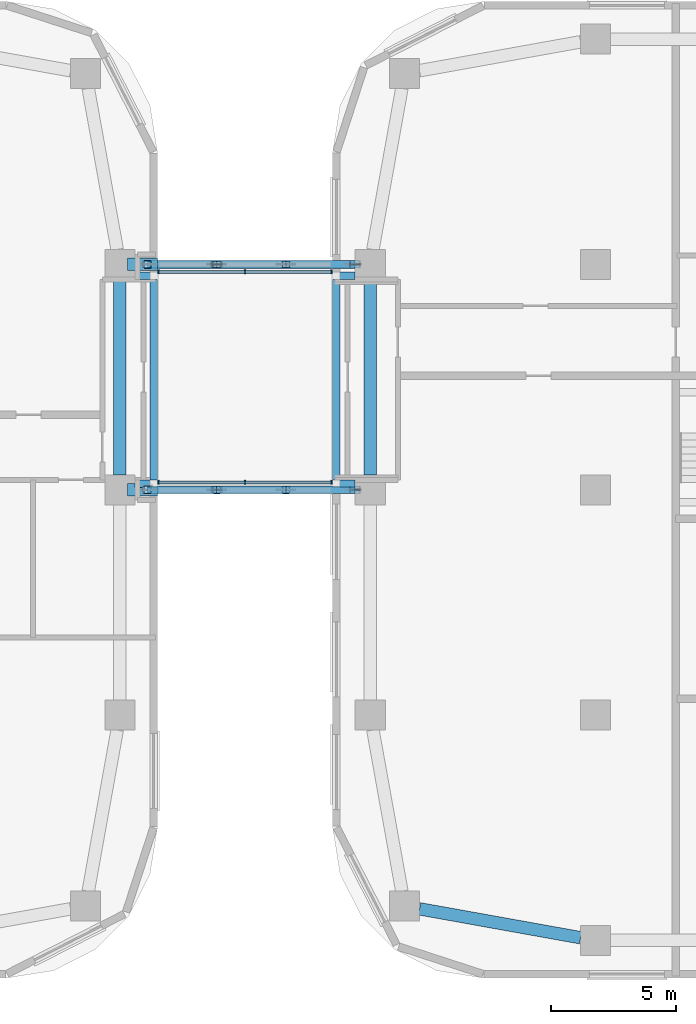
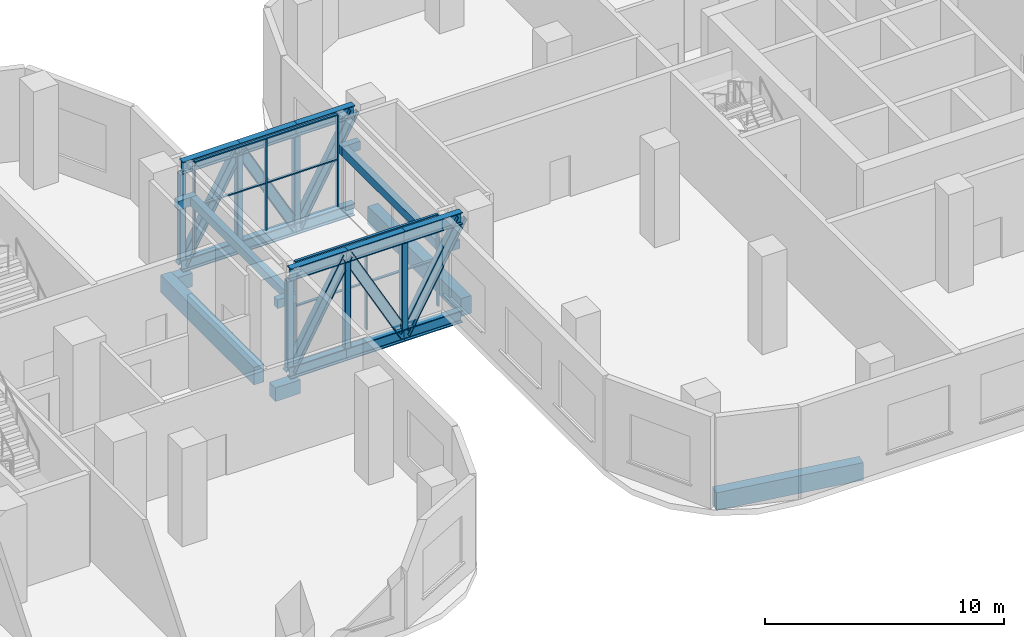
# One storey, part 2 of 35: 34 members, 11 beams, 2 elements without a shape of their own.
"""IFC4 building model written with IfcOpenShell, lengths in metres."""

from ifc_helpers import new_model, si_unit, direction, frame, origin, origin_2d, place, context, subcontext, project, spatial, rectangle, hollow_rectangle, i_section, extrude, material, material_profile, profile_set, type_object, element, aggregate, save


model = new_model("IFC4")

# Units and contexts
model_context = context("Model", 3, precision=1e-05, world=origin(), true_north=direction((0.0, 1.0)))
body_context = subcontext(model_context, "Body", "Model", "MODEL_VIEW")
ifc_project = project(units=[si_unit("LENGTHUNIT", "METRE"), si_unit("AREAUNIT", "SQUARE_METRE"), si_unit("VOLUMEUNIT", "CUBIC_METRE"), si_unit("PLANEANGLEUNIT", "RADIAN"), si_unit("MASSUNIT", "GRAM", prefix="KILO")], contexts=[model_context])

# Site, building, storey
site_placement = place(None, origin())
site = spatial("IfcSite", under=ifc_project, at=site_placement, CompositionType="ELEMENT")
building_placement = place(site_placement, origin())
building = spatial("IfcBuilding", under=site, at=building_placement, Name="Ogive Portal Towers", CompositionType="ELEMENT")
storey_placement = place(building_placement, frame((0.0, 0.0, 18.5)))
storey = spatial("IfcBuildingStorey", under=building, at=storey_placement, Name="L03", CompositionType="ELEMENT", Elevation=18.5)

# Beams
ifc_material_1 = material(Name="Concrete C40/50", Category="concrete")
ifc_material_profile_1 = material_profile(ifc_material_1, rectangle(XDim=0.300048828125, YDim=0.449951171875, at=origin_2d()), Name="RC 300x450")
ifc_profile_set_1 = profile_set([ifc_material_profile_1], Name="Concrete C40/50")
beam_type_1 = type_object("IfcBeamType", Name="BEAM RC 300x450", PredefinedType="BEAM", material=ifc_profile_set_1)
for number, where, z_axis, x_axis, name in (
    (1, (104.10009765625, 30.75, 2.925048828125), (1.0, 0.0, 0.0), (0.0, 1.0, 0.0), "Link lintel bracket L03"),
    (2, (104.10009765625, 39.050048828125, 2.925048828125), (1.0, 0.0, 0.0), (0.0, 1.0, 0.0), "Link lintel bracket L03"),
):
    element("IfcBeam", number, at=place(storey_placement, frame(where, z_axis=z_axis, x_axis=x_axis)), inside=storey, type_object=beam_type_1, Name=name, PredefinedType="BEAM", context=body_context, shape_type="SweptSolid", body=[
        extrude(rectangle(XDim=0.300048828125, YDim=0.449951171875, at=origin_2d()), origin(), (0.0, 0.0, 1.0), 0.89990234375),
    ])
beam_1_placement = place(storey_placement, frame((104.85009765625, 30.89990234375, 2.925048828125), z_axis=(0.0, 1.0, 0.0), x_axis=(-1.0, 0.0, 0.0)))
element("IfcBeam", 3, at=beam_1_placement, inside=storey, type_object=beam_type_1, Name="Link lintel beam L03", PredefinedType="BEAM", context=body_context, shape_type="SweptSolid", body=[
    extrude(rectangle(XDim=0.300048828125, YDim=0.449951171875, at=origin_2d()), origin(), (0.0, 0.0, 1.0), 8.0),
])
for number, where, z_axis, x_axis, name in (
    (4, (112.89990234375, 39.050048828125, 2.925048828125), (-1.0, 0.0, 0.0), (0.0, -1.0, 0.0), "Link lintel bracket L03"),
    (5, (112.89990234375, 30.75, 2.925048828125), (-1.0, 0.0, 0.0), (0.0, -1.0, 0.0), "Link lintel bracket L03"),
):
    element("IfcBeam", number, at=place(storey_placement, frame(where, z_axis=z_axis, x_axis=x_axis)), inside=storey, type_object=beam_type_1, Name=name, PredefinedType="BEAM", context=body_context, shape_type="SweptSolid", body=[
        extrude(rectangle(XDim=0.300048828125, YDim=0.449951171875, at=origin_2d()), origin(), (0.0, 0.0, 1.0), 0.89990234375),
    ])
beam_2_placement = place(storey_placement, frame((112.14990234375, 38.89990234375, 2.925048828125), z_axis=(0.0, -1.0, 0.0), x_axis=(1.0, 0.0, 0.0)))
element("IfcBeam", 6, at=beam_2_placement, inside=storey, type_object=beam_type_1, Name="Link lintel beam L03", PredefinedType="BEAM", context=body_context, shape_type="SweptSolid", body=[
    extrude(rectangle(XDim=0.300048828125, YDim=0.449951171875, at=origin_2d()), origin(), (0.0, 0.0, 1.0), 8.0),
])

# Members
ifc_material_2 = material(Name="Steel S355", Category="steel")
ifc_material_profile_2 = material_profile(ifc_material_2, i_section(OverallWidth=0.300048828125, OverallDepth=0.5, WebThickness=0.014404296875, FlangeThickness=0.028076171875, FilletRadius=0.027099609375, at=origin_2d()), Name="HEB 500")
ifc_profile_set_2 = profile_set([ifc_material_profile_2], Name="Steel S355")
member_type_1 = type_object("IfcMemberType", Name="BRACE HEB 500", PredefinedType="BRACE", material=ifc_profile_set_2)
for number, where, z_axis, x_axis, name in (
    (7, (104.60009765625, 30.5, -0.610107421875), (0.484147689614, 0.0, 0.874986293973), (0.0, 1.0, 0.0), "Link truss diagonal"),
    (8, (107.36669921875, 30.5, 4.389892578125), (0.484147689614, 0.0, -0.874986293973), (0.0, 1.0, 0.0), "Link truss diagonal"),
    (9, (110.13330078125, 30.5, -0.610107421875), (0.484147689614, 0.0, 0.874986293973), (0.0, 1.0, 0.0), "Link truss diagonal"),
    (10, (104.60009765625, 39.5, -0.610107421875), (0.484147689614, 0.0, 0.874986293973), (0.0, 1.0, 0.0), "Link truss diagonal"),
    (11, (107.36669921875, 39.5, 4.389892578125), (0.484147689614, 0.0, -0.874986293973), (0.0, 1.0, 0.0), "Link truss diagonal"),
    (12, (110.13330078125, 39.5, -0.610107421875), (0.484147689614, 0.0, 0.874986293973), (0.0, 1.0, 0.0), "Link truss diagonal"),
):
    element("IfcMember", number, at=place(storey_placement, frame(where, z_axis=z_axis, x_axis=x_axis)), inside=storey, type_object=member_type_1, Name=name, PredefinedType="BRACE", context=body_context, shape_type="SweptSolid", body=[
        extrude(i_section(OverallWidth=0.300048828125, OverallDepth=0.5, WebThickness=0.014404296875, FlangeThickness=0.028076171875, FilletRadius=0.027099609375, at=origin_2d()), origin(), (0.0, 0.0, 1.0), 5.71435546875),
    ])
ifc_material_profile_3 = material_profile(ifc_material_2, i_section(OverallWidth=0.304931640625, OverallDepth=0.6201171875, WebThickness=0.02099609375, FlangeThickness=0.0400390625, FilletRadius=0.027099609375, at=origin_2d()), Name="HEM 600")
ifc_profile_set_3 = profile_set([ifc_material_profile_3], Name="Steel S355")
member_type_2 = type_object("IfcMemberType", Name="CHORD HEM 600", PredefinedType="CHORD", material=ifc_profile_set_3)
for number, where, z_axis, x_axis, name in (
    (13, (104.60009765625, 30.5, -0.610107421875), (1.0, 0.0, 0.0), (0.0, 1.0, 0.0), "Link truss bottom chord"),
    (14, (104.60009765625, 30.5, 4.389892578125), (1.0, 0.0, 0.0), (0.0, 1.0, 0.0), "Link truss top chord"),
    (15, (107.36669921875, 30.5, -0.610107421875), (1.0, 0.0, 0.0), (0.0, 1.0, 0.0), "Link truss bottom chord"),
    (16, (107.36669921875, 30.5, 4.389892578125), (1.0, 0.0, 0.0), (0.0, 1.0, 0.0), "Link truss top chord"),
    (17, (110.13330078125, 30.5, -0.610107421875), (1.0, 0.0, 0.0), (0.0, 1.0, 0.0), "Link truss bottom chord"),
    (18, (110.13330078125, 30.5, 4.389892578125), (1.0, 0.0, 0.0), (0.0, 1.0, 0.0), "Link truss top chord"),
    (19, (104.60009765625, 39.5, -0.610107421875), (1.0, 0.0, 0.0), (0.0, 1.0, 0.0), "Link truss bottom chord"),
    (20, (104.60009765625, 39.5, 4.389892578125), (1.0, 0.0, 0.0), (0.0, 1.0, 0.0), "Link truss top chord"),
    (21, (107.36669921875, 39.5, -0.610107421875), (1.0, 0.0, 0.0), (0.0, 1.0, 0.0), "Link truss bottom chord"),
    (22, (107.36669921875, 39.5, 4.389892578125), (1.0, 0.0, 0.0), (0.0, 1.0, 0.0), "Link truss top chord"),
    (23, (110.13330078125, 39.5, -0.610107421875), (1.0, 0.0, 0.0), (0.0, 1.0, 0.0), "Link truss bottom chord"),
    (24, (110.13330078125, 39.5, 4.389892578125), (1.0, 0.0, 0.0), (0.0, 1.0, 0.0), "Link truss top chord"),
):
    element("IfcMember", number, at=place(storey_placement, frame(where, z_axis=z_axis, x_axis=x_axis)), inside=storey, type_object=member_type_2, Name=name, PredefinedType="CHORD", context=body_context, shape_type="SweptSolid", body=[
        extrude(i_section(OverallWidth=0.304931640625, OverallDepth=0.6201171875, WebThickness=0.02099609375, FlangeThickness=0.0400390625, FilletRadius=0.027099609375, at=origin_2d()), origin(), (0.0, 0.0, 1.0), 2.7666015625),
    ])

# Curtain wall, members
ifc_material_3 = material(Name="Glass, clear low-iron insulated glazing", Category="glass")
curtain_wall_type = type_object("IfcCurtainWallType", Name="CW LINK ENCLOSURE", PredefinedType="NOTDEFINED", material=ifc_material_3)
curtain_wall_1_placement = place(storey_placement, origin())
curtain_wall_1 = element("IfcCurtainWall", 25, at=curtain_wall_1_placement, inside=storey, type_object=curtain_wall_type, Name="A:L03:link:s", PredefinedType="NOTDEFINED")
ifc_material_4 = material(Name="Aluminium 6063 anodised", Category="aluminium")
ifc_material_profile_4 = material_profile(ifc_material_4, rectangle(XDim=0.159912109375, YDim=0.06005859375, at=origin_2d()), Name="AL 60x160")
ifc_profile_set_4 = profile_set([ifc_material_profile_4], Name="Aluminium 6063 anodised")
member_type_3 = type_object("IfcMemberType", Name="CW MULLION 60x160", PredefinedType="MULLION", material=ifc_profile_set_4)
member_1_placement = place(storey_placement, frame((105.050048828125, 30.800048828125, 0.0), z_axis=(0.0, 0.0, 1.0), x_axis=(0.0, 1.0, 0.0)))
member_1 = element("IfcMember", 26, at=member_1_placement, type_object=member_type_3, Name="mullion", PredefinedType="MULLION", context=body_context, shape_type="SweptSolid", body=[
    extrude(rectangle(XDim=0.159912109375, YDim=0.06005859375, at=origin_2d()), origin(), (0.0, 0.0, 1.0), 4.639892578125),
])
member_2_placement = place(storey_placement, frame((108.5, 30.800048828125, 0.0), z_axis=(0.0, 0.0, 1.0), x_axis=(0.0, 1.0, 0.0)))
member_2 = element("IfcMember", 27, at=member_2_placement, type_object=member_type_3, Name="mullion", PredefinedType="MULLION", context=body_context, shape_type="SweptSolid", body=[
    extrude(rectangle(XDim=0.159912109375, YDim=0.06005859375, at=origin_2d()), origin(), (0.0, 0.0, 1.0), 4.639892578125),
])
member_3_placement = place(storey_placement, frame((111.949951171875, 30.800048828125, 0.0), z_axis=(0.0, 0.0, 1.0), x_axis=(0.0, 1.0, 0.0)))
member_3 = element("IfcMember", 28, at=member_3_placement, type_object=member_type_3, Name="mullion", PredefinedType="MULLION", context=body_context, shape_type="SweptSolid", body=[
    extrude(rectangle(XDim=0.159912109375, YDim=0.06005859375, at=origin_2d()), origin(), (0.0, 0.0, 1.0), 4.639892578125),
])

curtain_wall_2_placement = place(storey_placement, origin())
curtain_wall_2 = element("IfcCurtainWall", 29, at=curtain_wall_2_placement, inside=storey, type_object=curtain_wall_type, Name="A:L03:link:n", PredefinedType="NOTDEFINED")
member_4_placement = place(storey_placement, frame((105.050048828125, 39.199951171875, 0.0), z_axis=(0.0, 0.0, 1.0), x_axis=(0.0, 1.0, 0.0)))
member_4 = element("IfcMember", 30, at=member_4_placement, type_object=member_type_3, Name="mullion", PredefinedType="MULLION", context=body_context, shape_type="SweptSolid", body=[
    extrude(rectangle(XDim=0.159912109375, YDim=0.06005859375, at=origin_2d()), origin(), (0.0, 0.0, 1.0), 4.639892578125),
])
member_5_placement = place(storey_placement, frame((108.5, 39.199951171875, 0.0), z_axis=(0.0, 0.0, 1.0), x_axis=(0.0, 1.0, 0.0)))
member_5 = element("IfcMember", 31, at=member_5_placement, type_object=member_type_3, Name="mullion", PredefinedType="MULLION", context=body_context, shape_type="SweptSolid", body=[
    extrude(rectangle(XDim=0.159912109375, YDim=0.06005859375, at=origin_2d()), origin(), (0.0, 0.0, 1.0), 4.639892578125),
])
member_6_placement = place(storey_placement, frame((111.949951171875, 39.199951171875, 0.0), z_axis=(0.0, 0.0, 1.0), x_axis=(0.0, 1.0, 0.0)))
member_6 = element("IfcMember", 32, at=member_6_placement, type_object=member_type_3, Name="mullion", PredefinedType="MULLION", context=body_context, shape_type="SweptSolid", body=[
    extrude(rectangle(XDim=0.159912109375, YDim=0.06005859375, at=origin_2d()), origin(), (0.0, 0.0, 1.0), 4.639892578125),
])

# Member
ifc_material_profile_5 = material_profile(ifc_material_4, rectangle(XDim=0.1201171875, YDim=0.06005859375, at=origin_2d()), Name="AL 120x60")
ifc_profile_set_5 = profile_set([ifc_material_profile_5], Name="Aluminium 6063 anodised")
member_type_4 = type_object("IfcMemberType", Name="CW TRANSOM 60x120", PredefinedType="USERDEFINED", material=ifc_profile_set_5)
member_7_placement = place(storey_placement, frame((105.050048828125, 30.800048828125, 2.39990234375), z_axis=(1.0, 0.0, 0.0), x_axis=(0.0, 1.0, 0.0)))
member_7 = element("IfcMember", 33, at=member_7_placement, type_object=member_type_4, Name="transom", ObjectType="TRANSOM", PredefinedType="USERDEFINED", context=body_context, shape_type="SweptSolid", body=[
    extrude(rectangle(XDim=0.1201171875, YDim=0.06005859375, at=origin_2d()), origin(), (0.0, 0.0, 1.0), 6.89990234375),
])

member_8_placement = place(storey_placement, frame((105.050048828125, 30.800048828125, 4.669921875), z_axis=(1.0, 0.0, 0.0), x_axis=(0.0, 1.0, 0.0)))
member_8 = element("IfcMember", 34, at=member_8_placement, type_object=member_type_4, Name="transom", ObjectType="TRANSOM", PredefinedType="USERDEFINED", context=body_context, shape_type="SweptSolid", body=[
    extrude(rectangle(XDim=0.1201171875, YDim=0.06005859375, at=origin_2d()), origin(), (0.0, 0.0, 1.0), 6.89990234375),
])

aggregate(curtain_wall_1, [member_7, member_8, member_1, member_2, member_3])

member_9_placement = place(storey_placement, frame((105.050048828125, 39.199951171875, 2.39990234375), z_axis=(1.0, 0.0, 0.0), x_axis=(0.0, 1.0, 0.0)))
member_9 = element("IfcMember", 35, at=member_9_placement, type_object=member_type_4, Name="transom", ObjectType="TRANSOM", PredefinedType="USERDEFINED", context=body_context, shape_type="SweptSolid", body=[
    extrude(rectangle(XDim=0.1201171875, YDim=0.06005859375, at=origin_2d()), origin(), (0.0, 0.0, 1.0), 6.89990234375),
])

member_10_placement = place(storey_placement, frame((105.050048828125, 39.199951171875, 4.669921875), z_axis=(1.0, 0.0, 0.0), x_axis=(0.0, 1.0, 0.0)))
member_10 = element("IfcMember", 36, at=member_10_placement, type_object=member_type_4, Name="transom", ObjectType="TRANSOM", PredefinedType="USERDEFINED", context=body_context, shape_type="SweptSolid", body=[
    extrude(rectangle(XDim=0.1201171875, YDim=0.06005859375, at=origin_2d()), origin(), (0.0, 0.0, 1.0), 6.89990234375),
])

aggregate(curtain_wall_2, [member_9, member_10, member_4, member_5, member_6])

# Beams
ifc_material_5 = material(Name="Concrete C50/60", Category="concrete")
ifc_material_profile_6 = material_profile(ifc_material_5, rectangle(XDim=0.5, YDim=0.89990234375, at=origin_2d()), Name="RC 500x900")
ifc_profile_set_6 = profile_set([ifc_material_profile_6], Name="Concrete C50/60")
beam_type_2 = type_object("IfcBeamType", Name="PODIUM GIRDER RC 500x900", PredefinedType="BEAM", material=ifc_profile_set_6)
beam_3_placement = place(storey_placement, frame((103.5, 31.10009765625, -0.75), z_axis=(0.0, 1.0, 0.0), x_axis=(-1.0, 0.0, 0.0)))
element("IfcBeam", 37, at=beam_3_placement, inside=storey, type_object=beam_type_2, Name="Spandrel beam L03", PredefinedType="BEAM", context=body_context, shape_type="SweptSolid", body=[
    extrude(rectangle(XDim=0.5, YDim=0.89990234375, at=origin_2d()), origin(), (0.0, 0.0, 1.0), 7.7998046875),
])
beam_4_placement = place(storey_placement, frame((115.469970703125, 13.76220703125, -0.75), z_axis=(0.984259207685, -0.176730903032, 0.0), x_axis=(0.176730903032, 0.984259207685, 0.0)))
element("IfcBeam", 38, at=beam_4_placement, inside=storey, type_object=beam_type_2, Name="Spandrel beam L03", PredefinedType="BEAM", context=body_context, shape_type="SweptSolid", body=[
    extrude(rectangle(XDim=0.5, YDim=0.89990234375, at=origin_2d()), origin(), (0.0, 0.0, 1.0), 6.53271484375),
])
beam_5_placement = place(storey_placement, frame((113.5, 38.89990234375, -0.75), z_axis=(0.0, -1.0, 0.0), x_axis=(1.0, 0.0, 0.0)))
element("IfcBeam", 39, at=beam_5_placement, inside=storey, type_object=beam_type_2, Name="Spandrel beam L03", PredefinedType="BEAM", context=body_context, shape_type="SweptSolid", body=[
    extrude(rectangle(XDim=0.5, YDim=0.89990234375, at=origin_2d()), origin(), (0.0, 0.0, 1.0), 7.7998046875),
])

# Members
ifc_material_profile_7 = material_profile(ifc_material_2, hollow_rectangle(XDim=0.300048828125, YDim=0.300048828125, WallThickness=0.01611328125, InnerFilletRadius=0.02392578125, OuterFilletRadius=0.0400390625, at=origin_2d()), Name="SHS 300x300x16")
ifc_profile_set_7 = profile_set([ifc_material_profile_7], Name="Steel S355")
member_type_5 = type_object("IfcMemberType", Name="POST SHS 300x300x16", PredefinedType="POST", material=ifc_profile_set_7)
for number, where, z_axis, x_axis, name in (
    (40, (104.60009765625, 30.5, -0.300048828125), (0.0, 0.0, 1.0), (1.0, 0.0, 0.0), "Link truss post"),
    (41, (107.36669921875, 30.5, -0.300048828125), (0.0, 0.0, 1.0), (1.0, 0.0, 0.0), "Link truss post"),
    (42, (110.13330078125, 30.5, -0.300048828125), (0.0, 0.0, 1.0), (1.0, 0.0, 0.0), "Link truss post"),
    (43, (104.60009765625, 39.5, -0.300048828125), (0.0, 0.0, 1.0), (1.0, 0.0, 0.0), "Link truss post"),
    (44, (107.36669921875, 39.5, -0.300048828125), (0.0, 0.0, 1.0), (1.0, 0.0, 0.0), "Link truss post"),
    (45, (110.13330078125, 39.5, -0.300048828125), (0.0, 0.0, 1.0), (1.0, 0.0, 0.0), "Link truss post"),
):
    element("IfcMember", number, at=place(storey_placement, frame(where, z_axis=z_axis, x_axis=x_axis)), inside=storey, type_object=member_type_5, Name=name, PredefinedType="POST", context=body_context, shape_type="SweptSolid", body=[
        extrude(hollow_rectangle(XDim=0.300048828125, YDim=0.300048828125, WallThickness=0.01611328125, InnerFilletRadius=0.02392578125, OuterFilletRadius=0.0400390625, at=origin_2d()), origin(), (0.0, 0.0, 1.0), 4.380126953125),
    ])

# Beams
ifc_material_profile_8 = material_profile(ifc_material_1, rectangle(XDim=0.5, YDim=0.699951171875, at=origin_2d()), Name="RC 500x700")
ifc_profile_set_8 = profile_set([ifc_material_profile_8], Name="Concrete C40/50")
beam_type_3 = type_object("IfcBeamType", Name="SEAT BEAM RC 500x700", PredefinedType="BEAM", material=ifc_profile_set_8)
for number, where, z_axis, x_axis, name in (
    (46, (103.800048828125, 30.5, -1.3701171875), (1.0, 0.0, 0.0), (0.0, 1.0, 0.0), "Bridge seat"),
    (47, (103.800048828125, 39.5, -1.3701171875), (1.0, 0.0, 0.0), (0.0, 1.0, 0.0), "Bridge seat"),
):
    element("IfcBeam", number, at=place(storey_placement, frame(where, z_axis=z_axis, x_axis=x_axis)), inside=storey, type_object=beam_type_3, Name=name, PredefinedType="BEAM", context=body_context, shape_type="SweptSolid", body=[
        extrude(rectangle(XDim=0.5, YDim=0.699951171875, at=origin_2d()), origin(), (0.0, 0.0, 1.0), 1.199951171875),
    ])

save(model, "model.ifc")
